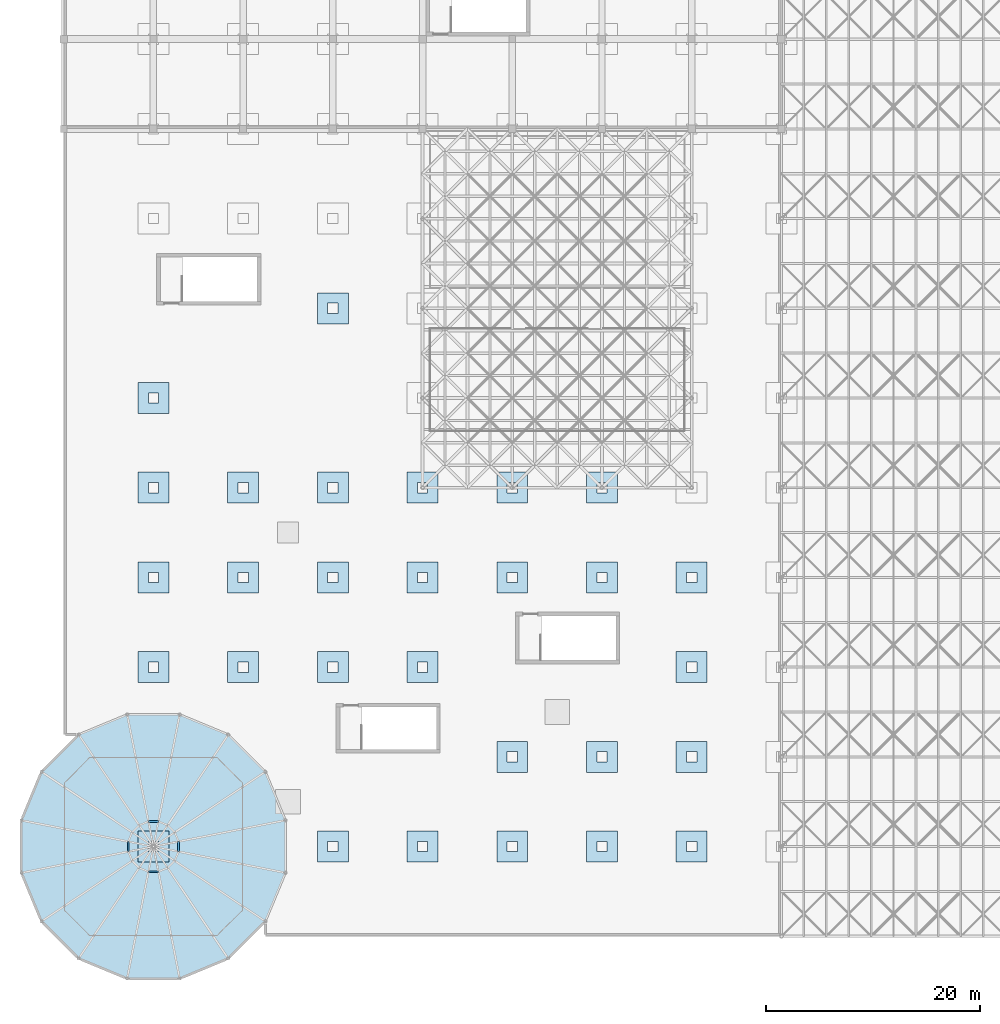
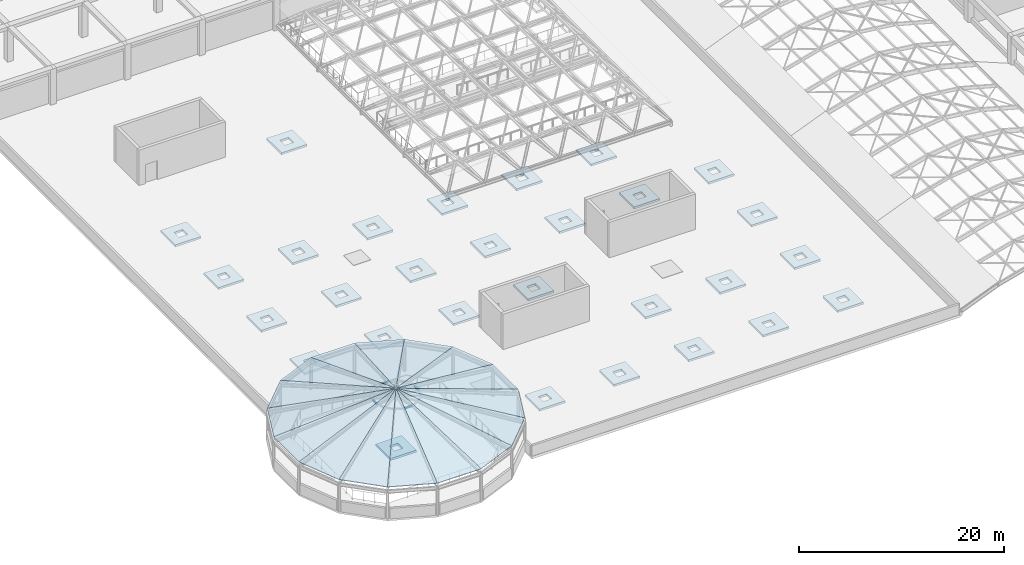
# One storey, part 65 of 85: 45 slabs, 4 members, 1 element without a shape of its own.
"""IFC4 building model written with IfcOpenShell, lengths in metres."""

from ifc_helpers import new_model, si_unit, direction, frame, origin, origin_2d, place, context, subcontext, project, spatial, polyline, hollow_rectangle, outline, extrude, material, layer, layer_set, material_profile, profile_set, type_object, element, aggregate, save


model = new_model("IFC4")

# Units and contexts
model_context = context("Model", 3, precision=1e-05, world=origin(), true_north=direction((0.0, 1.0)))
body_context = subcontext(model_context, "Body", "Model", "MODEL_VIEW")
ifc_project = project(units=[si_unit("LENGTHUNIT", "METRE"), si_unit("AREAUNIT", "SQUARE_METRE"), si_unit("VOLUMEUNIT", "CUBIC_METRE"), si_unit("PLANEANGLEUNIT", "RADIAN"), si_unit("MASSUNIT", "GRAM", prefix="KILO")], contexts=[model_context])

# Site, building, storey
site_placement = place(None, origin())
site = spatial("IfcSite", under=ifc_project, at=site_placement, CompositionType="ELEMENT")
building_placement = place(site_placement, origin())
building = spatial("IfcBuilding", under=site, at=building_placement, Name="Almacenes y Pasaje Nevantli", CompositionType="ELEMENT")
storey_placement = place(building_placement, frame((0.0, 0.0, 22.199951171875)))
storey = spatial("IfcBuildingStorey", under=building, at=storey_placement, Name="L05", CompositionType="ELEMENT", Elevation=22.199951171875)

# Members
ifc_material_1 = material(Name="Steel ASTM A500 Grade C", Category="steel")
ifc_material_profile = material_profile(ifc_material_1, hollow_rectangle(XDim=0.177734375, YDim=0.177734375, WallThickness=0.0078125, at=origin_2d()), Name="OR 178x178x7.9")
ifc_profile_set = profile_set([ifc_material_profile], Name="Steel ASTM A500 Grade C")
member_type = type_object("IfcMemberType", Name="MBR-PUR-OR178x178", PredefinedType="PURLIN", material=ifc_profile_set)
for number, where, z_axis, x_axis, name in (
    (1, (8.8681640625, 10.75390625, 5.900146484375), (-1.0, 0.0, 0.0), (0.0, -1.0, 0.0), "Rotunda Lantern Dome Compression Ring Purlin #4"),
    (2, (6.046142578125, 8.8681640625, 5.900146484375), (0.0, -1.0, 0.0), (1.0, 0.0, 0.0), "Rotunda Lantern Dome Compression Ring Purlin #8"),
    (3, (7.931884765625, 6.046142578125, 5.900146484375), (1.0, 0.0, 0.0), (0.0, 1.0, 0.0), "Rotunda Lantern Dome Compression Ring Purlin #12"),
    (4, (10.75390625, 7.931884765625, 5.900146484375), (0.0, 1.0, 0.0), (-1.0, 0.0, 0.0), "Rotunda Lantern Dome Compression Ring Purlin #16"),
):
    element("IfcMember", number, at=place(storey_placement, frame(where, z_axis=z_axis, x_axis=x_axis)), inside=storey, type_object=member_type, Name=name, PredefinedType="PURLIN", context=body_context, shape_type="SweptSolid", body=[
        extrude(hollow_rectangle(XDim=0.177734375, YDim=0.177734375, WallThickness=0.0078125, at=origin_2d()), origin(), (0.0, 0.0, 1.0), 0.936279296875),
    ])

# Slabs
ifc_material_2 = material(Name="Concrete C35/45", Category="concrete")
ifc_layer_1 = layer(ifc_material_2, 0.25)
ifc_layer_set_1 = layer_set([ifc_layer_1], Name="Concrete C35/45")
slab_type_1 = type_object("IfcSlabType", Name="SLB-DP-250", PredefinedType="USERDEFINED", material=ifc_layer_set_1)
slab_1_placement = place(storey_placement, frame((0.0, 0.0, -0.550048828125)))
element("IfcSlab", 5, at=slab_1_placement, inside=storey, type_object=slab_type_1, Name="L05 Punching-Shear Drop Panel DP-02 #924", ObjectType="DROP PANEL", PredefinedType="USERDEFINED", context=body_context, shape_type="SweptSolid", body=[
    extrude(outline(polyline([(6.949951171875, 6.949951171875), (9.85009765625, 6.949951171875), (9.85009765625, 9.85009765625), (6.949951171875, 9.85009765625), (6.949951171875, 6.949951171875)]), holes=[polyline([(7.919921875, 7.919921875), (8.8798828125, 7.919921875), (8.8798828125, 8.8798828125), (7.919921875, 8.8798828125), (7.919921875, 7.919921875)])]), origin(), (0.0, 0.0, 1.0), 0.25),
])
slab_2_placement = place(storey_placement, frame((0.0, 0.0, -0.550048828125)))
element("IfcSlab", 6, at=slab_2_placement, inside=storey, type_object=slab_type_1, Name="L05 Punching-Shear Drop Panel DP-02 #925", ObjectType="DROP PANEL", PredefinedType="USERDEFINED", context=body_context, shape_type="SweptSolid", body=[
    extrude(outline(polyline([(6.949951171875, 23.75), (9.85009765625, 23.75), (9.85009765625, 26.64990234375), (6.949951171875, 26.64990234375), (6.949951171875, 23.75)]), holes=[polyline([(7.919921875, 24.719970703125), (8.8798828125, 24.719970703125), (8.8798828125, 25.679931640625), (7.919921875, 25.679931640625), (7.919921875, 24.719970703125)])]), origin(), (0.0, 0.0, 1.0), 0.25),
])
slab_3_placement = place(storey_placement, frame((0.0, 0.0, -0.550048828125)))
element("IfcSlab", 7, at=slab_3_placement, inside=storey, type_object=slab_type_1, Name="L05 Punching-Shear Drop Panel DP-02 #926", ObjectType="DROP PANEL", PredefinedType="USERDEFINED", context=body_context, shape_type="SweptSolid", body=[
    extrude(outline(polyline([(6.949951171875, 32.14990234375), (9.85009765625, 32.14990234375), (9.85009765625, 35.050048828125), (6.949951171875, 35.050048828125), (6.949951171875, 32.14990234375)]), holes=[polyline([(7.919921875, 33.1201171875), (8.8798828125, 33.1201171875), (8.8798828125, 34.080078125), (7.919921875, 34.080078125), (7.919921875, 33.1201171875)])]), origin(), (0.0, 0.0, 1.0), 0.25),
])
slab_4_placement = place(storey_placement, frame((0.0, 0.0, -0.550048828125)))
element("IfcSlab", 8, at=slab_4_placement, inside=storey, type_object=slab_type_1, Name="L05 Punching-Shear Drop Panel DP-02 #927", ObjectType="DROP PANEL", PredefinedType="USERDEFINED", context=body_context, shape_type="SweptSolid", body=[
    extrude(outline(polyline([(6.949951171875, 40.550048828125), (9.85009765625, 40.550048828125), (9.85009765625, 43.449951171875), (6.949951171875, 43.449951171875), (6.949951171875, 40.550048828125)]), holes=[polyline([(7.919921875, 41.52001953125), (8.8798828125, 41.52001953125), (8.8798828125, 42.47998046875), (7.919921875, 42.47998046875), (7.919921875, 41.52001953125)])]), origin(), (0.0, 0.0, 1.0), 0.25),
])
slab_5_placement = place(storey_placement, frame((0.0, 0.0, -0.550048828125)))
element("IfcSlab", 9, at=slab_5_placement, inside=storey, type_object=slab_type_1, Name="L05 Punching-Shear Drop Panel DP-02 #928", ObjectType="DROP PANEL", PredefinedType="USERDEFINED", context=body_context, shape_type="SweptSolid", body=[
    extrude(outline(polyline([(6.949951171875, 48.949951171875), (9.85009765625, 48.949951171875), (9.85009765625, 51.85009765625), (6.949951171875, 51.85009765625), (6.949951171875, 48.949951171875)]), holes=[polyline([(7.919921875, 49.919921875), (8.8798828125, 49.919921875), (8.8798828125, 50.8798828125), (7.919921875, 50.8798828125), (7.919921875, 49.919921875)])]), origin(), (0.0, 0.0, 1.0), 0.25),
])
slab_6_placement = place(storey_placement, frame((0.0, 0.0, -0.550048828125)))
element("IfcSlab", 10, at=slab_6_placement, inside=storey, type_object=slab_type_1, Name="L05 Punching-Shear Drop Panel DP-02 #934", ObjectType="DROP PANEL", PredefinedType="USERDEFINED", context=body_context, shape_type="SweptSolid", body=[
    extrude(outline(polyline([(15.35009765625, 23.75), (18.25, 23.75), (18.25, 26.64990234375), (15.35009765625, 26.64990234375), (15.35009765625, 23.75)]), holes=[polyline([(16.320068359375, 24.719970703125), (17.280029296875, 24.719970703125), (17.280029296875, 25.679931640625), (16.320068359375, 25.679931640625), (16.320068359375, 24.719970703125)])]), origin(), (0.0, 0.0, 1.0), 0.25),
])
slab_7_placement = place(storey_placement, frame((0.0, 0.0, -0.550048828125)))
element("IfcSlab", 11, at=slab_7_placement, inside=storey, type_object=slab_type_1, Name="L05 Punching-Shear Drop Panel DP-02 #935", ObjectType="DROP PANEL", PredefinedType="USERDEFINED", context=body_context, shape_type="SweptSolid", body=[
    extrude(outline(polyline([(15.35009765625, 32.14990234375), (18.25, 32.14990234375), (18.25, 35.050048828125), (15.35009765625, 35.050048828125), (15.35009765625, 32.14990234375)]), holes=[polyline([(16.320068359375, 33.1201171875), (17.280029296875, 33.1201171875), (17.280029296875, 34.080078125), (16.320068359375, 34.080078125), (16.320068359375, 33.1201171875)])]), origin(), (0.0, 0.0, 1.0), 0.25),
])
slab_8_placement = place(storey_placement, frame((0.0, 0.0, -0.550048828125)))
element("IfcSlab", 12, at=slab_8_placement, inside=storey, type_object=slab_type_1, Name="L05 Punching-Shear Drop Panel DP-02 #936", ObjectType="DROP PANEL", PredefinedType="USERDEFINED", context=body_context, shape_type="SweptSolid", body=[
    extrude(outline(polyline([(15.35009765625, 40.550048828125), (18.25, 40.550048828125), (18.25, 43.449951171875), (15.35009765625, 43.449951171875), (15.35009765625, 40.550048828125)]), holes=[polyline([(16.320068359375, 41.52001953125), (17.280029296875, 41.52001953125), (17.280029296875, 42.47998046875), (16.320068359375, 42.47998046875), (16.320068359375, 41.52001953125)])]), origin(), (0.0, 0.0, 1.0), 0.25),
])
slab_9_placement = place(storey_placement, frame((0.0, 0.0, -0.550048828125)))
element("IfcSlab", 13, at=slab_9_placement, inside=storey, type_object=slab_type_1, Name="L05 Punching-Shear Drop Panel DP-02 #942", ObjectType="DROP PANEL", PredefinedType="USERDEFINED", context=body_context, shape_type="SweptSolid", body=[
    extrude(outline(polyline([(23.75, 6.949951171875), (26.64990234375, 6.949951171875), (26.64990234375, 9.85009765625), (23.75, 9.85009765625), (23.75, 6.949951171875)]), holes=[polyline([(24.719970703125, 7.919921875), (25.679931640625, 7.919921875), (25.679931640625, 8.8798828125), (24.719970703125, 8.8798828125), (24.719970703125, 7.919921875)])]), origin(), (0.0, 0.0, 1.0), 0.25),
])
slab_10_placement = place(storey_placement, frame((0.0, 0.0, -0.550048828125)))
element("IfcSlab", 14, at=slab_10_placement, inside=storey, type_object=slab_type_1, Name="L05 Punching-Shear Drop Panel DP-02 #943", ObjectType="DROP PANEL", PredefinedType="USERDEFINED", context=body_context, shape_type="SweptSolid", body=[
    extrude(outline(polyline([(23.75, 23.75), (26.64990234375, 23.75), (26.64990234375, 26.64990234375), (23.75, 26.64990234375), (23.75, 23.75)]), holes=[polyline([(24.719970703125, 24.719970703125), (25.679931640625, 24.719970703125), (25.679931640625, 25.679931640625), (24.719970703125, 25.679931640625), (24.719970703125, 24.719970703125)])]), origin(), (0.0, 0.0, 1.0), 0.25),
])
slab_11_placement = place(storey_placement, frame((0.0, 0.0, -0.550048828125)))
element("IfcSlab", 15, at=slab_11_placement, inside=storey, type_object=slab_type_1, Name="L05 Punching-Shear Drop Panel DP-02 #944", ObjectType="DROP PANEL", PredefinedType="USERDEFINED", context=body_context, shape_type="SweptSolid", body=[
    extrude(outline(polyline([(23.75, 32.14990234375), (26.64990234375, 32.14990234375), (26.64990234375, 35.050048828125), (23.75, 35.050048828125), (23.75, 32.14990234375)]), holes=[polyline([(24.719970703125, 33.1201171875), (25.679931640625, 33.1201171875), (25.679931640625, 34.080078125), (24.719970703125, 34.080078125), (24.719970703125, 33.1201171875)])]), origin(), (0.0, 0.0, 1.0), 0.25),
])
slab_12_placement = place(storey_placement, frame((0.0, 0.0, -0.550048828125)))
element("IfcSlab", 16, at=slab_12_placement, inside=storey, type_object=slab_type_1, Name="L05 Punching-Shear Drop Panel DP-02 #945", ObjectType="DROP PANEL", PredefinedType="USERDEFINED", context=body_context, shape_type="SweptSolid", body=[
    extrude(outline(polyline([(23.75, 40.550048828125), (26.64990234375, 40.550048828125), (26.64990234375, 43.449951171875), (23.75, 43.449951171875), (23.75, 40.550048828125)]), holes=[polyline([(24.719970703125, 41.52001953125), (25.679931640625, 41.52001953125), (25.679931640625, 42.47998046875), (24.719970703125, 42.47998046875), (24.719970703125, 41.52001953125)])]), origin(), (0.0, 0.0, 1.0), 0.25),
])
slab_13_placement = place(storey_placement, frame((0.0, 0.0, -0.550048828125)))
element("IfcSlab", 17, at=slab_13_placement, inside=storey, type_object=slab_type_1, Name="L05 Punching-Shear Drop Panel DP-02 #946", ObjectType="DROP PANEL", PredefinedType="USERDEFINED", context=body_context, shape_type="SweptSolid", body=[
    extrude(outline(polyline([(23.75, 57.35009765625), (26.64990234375, 57.35009765625), (26.64990234375, 60.25), (23.75, 60.25), (23.75, 57.35009765625)]), holes=[polyline([(24.719970703125, 58.320068359375), (25.679931640625, 58.320068359375), (25.679931640625, 59.280029296875), (24.719970703125, 59.280029296875), (24.719970703125, 58.320068359375)])]), origin(), (0.0, 0.0, 1.0), 0.25),
])
slab_14_placement = place(storey_placement, frame((0.0, 0.0, -0.550048828125)))
element("IfcSlab", 18, at=slab_14_placement, inside=storey, type_object=slab_type_1, Name="L05 Punching-Shear Drop Panel DP-02 #953", ObjectType="DROP PANEL", PredefinedType="USERDEFINED", context=body_context, shape_type="SweptSolid", body=[
    extrude(outline(polyline([(32.14990234375, 6.949951171875), (35.050048828125, 6.949951171875), (35.050048828125, 9.85009765625), (32.14990234375, 9.85009765625), (32.14990234375, 6.949951171875)]), holes=[polyline([(33.1201171875, 7.919921875), (34.080078125, 7.919921875), (34.080078125, 8.8798828125), (33.1201171875, 8.8798828125), (33.1201171875, 7.919921875)])]), origin(), (0.0, 0.0, 1.0), 0.25),
])
slab_15_placement = place(storey_placement, frame((0.0, 0.0, -0.550048828125)))
element("IfcSlab", 19, at=slab_15_placement, inside=storey, type_object=slab_type_1, Name="L05 Punching-Shear Drop Panel DP-02 #954", ObjectType="DROP PANEL", PredefinedType="USERDEFINED", context=body_context, shape_type="SweptSolid", body=[
    extrude(outline(polyline([(32.14990234375, 23.75), (35.050048828125, 23.75), (35.050048828125, 26.64990234375), (32.14990234375, 26.64990234375), (32.14990234375, 23.75)]), holes=[polyline([(33.1201171875, 24.719970703125), (34.080078125, 24.719970703125), (34.080078125, 25.679931640625), (33.1201171875, 25.679931640625), (33.1201171875, 24.719970703125)])]), origin(), (0.0, 0.0, 1.0), 0.25),
])
slab_16_placement = place(storey_placement, frame((0.0, 0.0, -0.550048828125)))
element("IfcSlab", 20, at=slab_16_placement, inside=storey, type_object=slab_type_1, Name="L05 Punching-Shear Drop Panel DP-02 #955", ObjectType="DROP PANEL", PredefinedType="USERDEFINED", context=body_context, shape_type="SweptSolid", body=[
    extrude(outline(polyline([(32.14990234375, 32.14990234375), (35.050048828125, 32.14990234375), (35.050048828125, 35.050048828125), (32.14990234375, 35.050048828125), (32.14990234375, 32.14990234375)]), holes=[polyline([(33.1201171875, 33.1201171875), (34.080078125, 33.1201171875), (34.080078125, 34.080078125), (33.1201171875, 34.080078125), (33.1201171875, 33.1201171875)])]), origin(), (0.0, 0.0, 1.0), 0.25),
])
slab_17_placement = place(storey_placement, frame((0.0, 0.0, -0.550048828125)))
element("IfcSlab", 21, at=slab_17_placement, inside=storey, type_object=slab_type_1, Name="L05 Punching-Shear Drop Panel DP-02 #956", ObjectType="DROP PANEL", PredefinedType="USERDEFINED", context=body_context, shape_type="SweptSolid", body=[
    extrude(outline(polyline([(32.14990234375, 40.550048828125), (35.050048828125, 40.550048828125), (35.050048828125, 43.449951171875), (32.14990234375, 43.449951171875), (32.14990234375, 40.550048828125)]), holes=[polyline([(33.1201171875, 41.52001953125), (34.080078125, 41.52001953125), (34.080078125, 42.47998046875), (33.1201171875, 42.47998046875), (33.1201171875, 41.52001953125)])]), origin(), (0.0, 0.0, 1.0), 0.25),
])
slab_18_placement = place(storey_placement, frame((0.0, 0.0, -0.550048828125)))
element("IfcSlab", 22, at=slab_18_placement, inside=storey, type_object=slab_type_1, Name="L05 Punching-Shear Drop Panel DP-02 #964", ObjectType="DROP PANEL", PredefinedType="USERDEFINED", context=body_context, shape_type="SweptSolid", body=[
    extrude(outline(polyline([(40.550048828125, 6.949951171875), (43.449951171875, 6.949951171875), (43.449951171875, 9.85009765625), (40.550048828125, 9.85009765625), (40.550048828125, 6.949951171875)]), holes=[polyline([(41.52001953125, 7.919921875), (42.47998046875, 7.919921875), (42.47998046875, 8.8798828125), (41.52001953125, 8.8798828125), (41.52001953125, 7.919921875)])]), origin(), (0.0, 0.0, 1.0), 0.25),
])
slab_19_placement = place(storey_placement, frame((0.0, 0.0, -0.550048828125)))
element("IfcSlab", 23, at=slab_19_placement, inside=storey, type_object=slab_type_1, Name="L05 Punching-Shear Drop Panel DP-02 #965", ObjectType="DROP PANEL", PredefinedType="USERDEFINED", context=body_context, shape_type="SweptSolid", body=[
    extrude(outline(polyline([(40.550048828125, 15.35009765625), (43.449951171875, 15.35009765625), (43.449951171875, 18.25), (40.550048828125, 18.25), (40.550048828125, 15.35009765625)]), holes=[polyline([(41.52001953125, 16.320068359375), (42.47998046875, 16.320068359375), (42.47998046875, 17.280029296875), (41.52001953125, 17.280029296875), (41.52001953125, 16.320068359375)])]), origin(), (0.0, 0.0, 1.0), 0.25),
])
slab_20_placement = place(storey_placement, frame((0.0, 0.0, -0.550048828125)))
element("IfcSlab", 24, at=slab_20_placement, inside=storey, type_object=slab_type_1, Name="L05 Punching-Shear Drop Panel DP-02 #966", ObjectType="DROP PANEL", PredefinedType="USERDEFINED", context=body_context, shape_type="SweptSolid", body=[
    extrude(outline(polyline([(40.550048828125, 32.14990234375), (43.449951171875, 32.14990234375), (43.449951171875, 35.050048828125), (40.550048828125, 35.050048828125), (40.550048828125, 32.14990234375)]), holes=[polyline([(41.52001953125, 33.1201171875), (42.47998046875, 33.1201171875), (42.47998046875, 34.080078125), (41.52001953125, 34.080078125), (41.52001953125, 33.1201171875)])]), origin(), (0.0, 0.0, 1.0), 0.25),
])
slab_21_placement = place(storey_placement, frame((0.0, 0.0, -0.550048828125)))
element("IfcSlab", 25, at=slab_21_placement, inside=storey, type_object=slab_type_1, Name="L05 Punching-Shear Drop Panel DP-02 #967", ObjectType="DROP PANEL", PredefinedType="USERDEFINED", context=body_context, shape_type="SweptSolid", body=[
    extrude(outline(polyline([(40.550048828125, 40.550048828125), (43.449951171875, 40.550048828125), (43.449951171875, 43.449951171875), (40.550048828125, 43.449951171875), (40.550048828125, 40.550048828125)]), holes=[polyline([(41.52001953125, 41.52001953125), (42.47998046875, 41.52001953125), (42.47998046875, 42.47998046875), (41.52001953125, 42.47998046875), (41.52001953125, 41.52001953125)])]), origin(), (0.0, 0.0, 1.0), 0.25),
])
slab_22_placement = place(storey_placement, frame((0.0, 0.0, -0.550048828125)))
element("IfcSlab", 26, at=slab_22_placement, inside=storey, type_object=slab_type_1, Name="L05 Punching-Shear Drop Panel DP-02 #972", ObjectType="DROP PANEL", PredefinedType="USERDEFINED", context=body_context, shape_type="SweptSolid", body=[
    extrude(outline(polyline([(48.949951171875, 6.949951171875), (51.85009765625, 6.949951171875), (51.85009765625, 9.85009765625), (48.949951171875, 9.85009765625), (48.949951171875, 6.949951171875)]), holes=[polyline([(49.919921875, 7.919921875), (50.8798828125, 7.919921875), (50.8798828125, 8.8798828125), (49.919921875, 8.8798828125), (49.919921875, 7.919921875)])]), origin(), (0.0, 0.0, 1.0), 0.25),
])
slab_23_placement = place(storey_placement, frame((0.0, 0.0, -0.550048828125)))
element("IfcSlab", 27, at=slab_23_placement, inside=storey, type_object=slab_type_1, Name="L05 Punching-Shear Drop Panel DP-02 #973", ObjectType="DROP PANEL", PredefinedType="USERDEFINED", context=body_context, shape_type="SweptSolid", body=[
    extrude(outline(polyline([(48.949951171875, 15.35009765625), (51.85009765625, 15.35009765625), (51.85009765625, 18.25), (48.949951171875, 18.25), (48.949951171875, 15.35009765625)]), holes=[polyline([(49.919921875, 16.320068359375), (50.8798828125, 16.320068359375), (50.8798828125, 17.280029296875), (49.919921875, 17.280029296875), (49.919921875, 16.320068359375)])]), origin(), (0.0, 0.0, 1.0), 0.25),
])
slab_24_placement = place(storey_placement, frame((0.0, 0.0, -0.550048828125)))
element("IfcSlab", 28, at=slab_24_placement, inside=storey, type_object=slab_type_1, Name="L05 Punching-Shear Drop Panel DP-02 #974", ObjectType="DROP PANEL", PredefinedType="USERDEFINED", context=body_context, shape_type="SweptSolid", body=[
    extrude(outline(polyline([(48.949951171875, 32.14990234375), (51.85009765625, 32.14990234375), (51.85009765625, 35.050048828125), (48.949951171875, 35.050048828125), (48.949951171875, 32.14990234375)]), holes=[polyline([(49.919921875, 33.1201171875), (50.8798828125, 33.1201171875), (50.8798828125, 34.080078125), (49.919921875, 34.080078125), (49.919921875, 33.1201171875)])]), origin(), (0.0, 0.0, 1.0), 0.25),
])
slab_25_placement = place(storey_placement, frame((0.0, 0.0, -0.550048828125)))
element("IfcSlab", 29, at=slab_25_placement, inside=storey, type_object=slab_type_1, Name="L05 Punching-Shear Drop Panel DP-02 #975", ObjectType="DROP PANEL", PredefinedType="USERDEFINED", context=body_context, shape_type="SweptSolid", body=[
    extrude(outline(polyline([(48.949951171875, 40.550048828125), (51.85009765625, 40.550048828125), (51.85009765625, 43.449951171875), (48.949951171875, 43.449951171875), (48.949951171875, 40.550048828125)]), holes=[polyline([(49.919921875, 41.52001953125), (50.8798828125, 41.52001953125), (50.8798828125, 42.47998046875), (49.919921875, 42.47998046875), (49.919921875, 41.52001953125)])]), origin(), (0.0, 0.0, 1.0), 0.25),
])
slab_26_placement = place(storey_placement, frame((0.0, 0.0, -0.550048828125)))
element("IfcSlab", 30, at=slab_26_placement, inside=storey, type_object=slab_type_1, Name="L05 Punching-Shear Drop Panel DP-02 #980", ObjectType="DROP PANEL", PredefinedType="USERDEFINED", context=body_context, shape_type="SweptSolid", body=[
    extrude(outline(polyline([(57.35009765625, 6.949951171875), (60.25, 6.949951171875), (60.25, 9.85009765625), (57.35009765625, 9.85009765625), (57.35009765625, 6.949951171875)]), holes=[polyline([(58.320068359375, 7.919921875), (59.280029296875, 7.919921875), (59.280029296875, 8.8798828125), (58.320068359375, 8.8798828125), (58.320068359375, 7.919921875)])]), origin(), (0.0, 0.0, 1.0), 0.25),
])
slab_27_placement = place(storey_placement, frame((0.0, 0.0, -0.550048828125)))
element("IfcSlab", 31, at=slab_27_placement, inside=storey, type_object=slab_type_1, Name="L05 Punching-Shear Drop Panel DP-02 #981", ObjectType="DROP PANEL", PredefinedType="USERDEFINED", context=body_context, shape_type="SweptSolid", body=[
    extrude(outline(polyline([(57.35009765625, 15.35009765625), (60.25, 15.35009765625), (60.25, 18.25), (57.35009765625, 18.25), (57.35009765625, 15.35009765625)]), holes=[polyline([(58.320068359375, 16.320068359375), (59.280029296875, 16.320068359375), (59.280029296875, 17.280029296875), (58.320068359375, 17.280029296875), (58.320068359375, 16.320068359375)])]), origin(), (0.0, 0.0, 1.0), 0.25),
])
slab_28_placement = place(storey_placement, frame((0.0, 0.0, -0.550048828125)))
element("IfcSlab", 32, at=slab_28_placement, inside=storey, type_object=slab_type_1, Name="L05 Punching-Shear Drop Panel DP-02 #982", ObjectType="DROP PANEL", PredefinedType="USERDEFINED", context=body_context, shape_type="SweptSolid", body=[
    extrude(outline(polyline([(57.35009765625, 23.75), (60.25, 23.75), (60.25, 26.64990234375), (57.35009765625, 26.64990234375), (57.35009765625, 23.75)]), holes=[polyline([(58.320068359375, 24.719970703125), (59.280029296875, 24.719970703125), (59.280029296875, 25.679931640625), (58.320068359375, 25.679931640625), (58.320068359375, 24.719970703125)])]), origin(), (0.0, 0.0, 1.0), 0.25),
])
slab_29_placement = place(storey_placement, frame((0.0, 0.0, -0.550048828125)))
element("IfcSlab", 33, at=slab_29_placement, inside=storey, type_object=slab_type_1, Name="L05 Punching-Shear Drop Panel DP-02 #983", ObjectType="DROP PANEL", PredefinedType="USERDEFINED", context=body_context, shape_type="SweptSolid", body=[
    extrude(outline(polyline([(57.35009765625, 32.14990234375), (60.25, 32.14990234375), (60.25, 35.050048828125), (57.35009765625, 35.050048828125), (57.35009765625, 32.14990234375)]), holes=[polyline([(58.320068359375, 33.1201171875), (59.280029296875, 33.1201171875), (59.280029296875, 34.080078125), (58.320068359375, 34.080078125), (58.320068359375, 33.1201171875)])]), origin(), (0.0, 0.0, 1.0), 0.25),
])

# Roof, slabs
ifc_material_3 = material(Name="Steel ASTM A992 and Insulated Safety Glass", Category="steel")
roof_type = type_object("IfcRoofType", Name="ROOF-BARREL-VAULT", PredefinedType="BARREL_ROOF", material=ifc_material_3)
roof_placement = place(storey_placement, origin())
roof = element("IfcRoof", 34, at=roof_placement, inside=storey, type_object=roof_type, Name="Rotunda Lantern Dome Roof Assembly", PredefinedType="BARREL_ROOF")
ifc_material_4 = material(Name="Tempered Insulated Hail Safety Glass", Category="glass")
ifc_layer_2 = layer(ifc_material_4, 0.080078125)
ifc_layer_set_2 = layer_set([ifc_layer_2], Name="Tempered Insulated Hail Safety Glass")
slab_type_2 = type_object("IfcSlabType", Name="SLB-ROOF-GLASS-80", PredefinedType="ROOF", material=ifc_layer_set_2)
slab_30_placement = place(storey_placement, frame((20.7578125, 10.858154296875, 3.760009765625), z_axis=(0.215199670618, 0.089138285411, 0.972493428173), x_axis=(-0.382682198272, 0.923880043688, 0.0)))
slab_30 = element("IfcSlab", 35, at=slab_30_placement, type_object=slab_type_2, Name="Rotunda Lantern Dome Glass Sector #1", PredefinedType="ROOF", context=body_context, shape_type="SweptSolid", body=[
    extrude(outline(polyline([(0.0, 0.0), (4.91621419742757, 2.220446049250313e-16), (2.4580223027979002, 12.707495473359955), (0.0, 0.0)])), origin(), (0.0, 0.0, -1.0), 0.080078125),
])
slab_31_placement = place(storey_placement, frame((18.87646484375, 15.400146484375, 3.760009765625), z_axis=(0.164706446576, 0.164706446576, 0.972493482195), x_axis=(-0.707106781187, 0.707106781187, 0.0)))
slab_31 = element("IfcSlab", 36, at=slab_31_placement, type_object=slab_type_2, Name="Rotunda Lantern Dome Glass Sector #2", PredefinedType="ROOF", context=body_context, shape_type="SweptSolid", body=[
    extrude(outline(polyline([(0.0, 0.0), (4.916256570954713, 0.0), (2.458128285477356, 12.707507778019377), (0.0, 0.0)])), origin(), (0.0, 0.0, -1.0), 0.080078125),
])
slab_32_placement = place(storey_placement, frame((15.400146484375, 18.87646484375, 3.760009765625), z_axis=(0.089138285411, 0.215199670618, 0.972493428173), x_axis=(-0.923880043688, 0.382682198272, 0.0)))
slab_32 = element("IfcSlab", 37, at=slab_32_placement, type_object=slab_type_2, Name="Rotunda Lantern Dome Glass Sector #3", PredefinedType="ROOF", context=body_context, shape_type="SweptSolid", body=[
    extrude(outline(polyline([(0.0, 0.0), (4.91621419742757, -2.220446049250313e-16), (2.45819189462967, 12.707495473359955), (0.0, 0.0)])), origin(), (0.0, 0.0, -1.0), 0.080078125),
])
slab_33_placement = place(storey_placement, frame((10.858154296875, 20.7578125, 3.760009765625), z_axis=(0.0, 0.232931130399, 0.972493233134), x_axis=(-1.0, 0.0, 0.0)))
slab_33 = element("IfcSlab", 38, at=slab_33_placement, type_object=slab_type_2, Name="Rotunda Lantern Dome Glass Sector #4", PredefinedType="ROOF", context=body_context, shape_type="SweptSolid", body=[
    extrude(outline(polyline([(0.0, 0.0), (4.916259765625, 0.0), (2.458251953125, 12.707451049737426), (0.0, 0.0)])), origin(), (0.0, 0.0, -1.0), 0.080078125),
])
slab_34_placement = place(storey_placement, frame((5.94189453125, 20.7578125, 3.760009765625), z_axis=(-0.089138922753, 0.215201209303, 0.972493029263), x_axis=(-0.923880043688, -0.382682198272, 0.0)))
slab_34 = element("IfcSlab", 39, at=slab_34_placement, type_object=slab_type_2, Name="Rotunda Lantern Dome Glass Sector #5", PredefinedType="ROOF", context=body_context, shape_type="SweptSolid", body=[
    extrude(outline(polyline([(0.0, 0.0), (4.91621419742757, 0.0), (2.4582478594491914, 12.707404614998977), (0.0, 0.0)])), origin(), (0.0, 0.0, -1.0), 0.080078125),
])
slab_35_placement = place(storey_placement, frame((1.39990234375, 18.87646484375, 3.760009765625), z_axis=(-0.164708622619, 0.164708622619, 0.972492745099), x_axis=(-0.707106781187, -0.707106781187, 0.0)))
slab_35 = element("IfcSlab", 40, at=slab_35_placement, type_object=slab_type_2, Name="Rotunda Lantern Dome Glass Sector #6", PredefinedType="ROOF", context=body_context, shape_type="SweptSolid", body=[
    extrude(outline(polyline([(0.0, 0.0), (4.916256570954713, 0.0), (2.458300918968857, 12.707339893137707), (0.0, 0.0)])), origin(), (0.0, 0.0, -1.0), 0.080078125),
])
slab_36_placement = place(storey_placement, frame((-2.076416015625, 15.400146484375, 3.760009765625), z_axis=(-0.215197438238, 0.089148927999, 0.972492946613), x_axis=(-0.38272458482, -0.923862485532, 0.0)))
slab_36 = element("IfcSlab", 41, at=slab_36_placement, type_object=slab_type_2, Name="Rotunda Lantern Dome Glass Sector #7", PredefinedType="ROOF", context=body_context, shape_type="SweptSolid", body=[
    extrude(outline(polyline([(0.0, 0.0), (4.916307630872821, 0.0), (2.4577183565535545, 12.707385790425898), (0.0, 0.0)])), origin(), (0.0, 0.0, -1.0), 0.080078125),
])
slab_37_placement = place(storey_placement, frame((-3.9580078125, 10.858154296875, 3.760009765625), z_axis=(-0.232931130399, 0.0, 0.972493233134), x_axis=(0.0, -1.0, 0.0)))
slab_37 = element("IfcSlab", 42, at=slab_37_placement, type_object=slab_type_2, Name="Rotunda Lantern Dome Glass Sector #8", PredefinedType="ROOF", context=body_context, shape_type="SweptSolid", body=[
    extrude(outline(polyline([(0.0, 0.0), (4.916259765625, 0.0), (2.458251953125, 12.707451049737426), (0.0, 0.0)])), origin(), (0.0, 0.0, -1.0), 0.080078125),
])
slab_38_placement = place(storey_placement, frame((-3.9580078125, 5.94189453125, 3.760009765625), z_axis=(-0.215198977089, -0.089149565493, 0.972492547649), x_axis=(0.38272458482, -0.923862485532, 0.0)))
slab_38 = element("IfcSlab", 43, at=slab_38_placement, type_object=slab_type_2, Name="Rotunda Lantern Dome Glass Sector #9", PredefinedType="ROOF", context=body_context, shape_type="SweptSolid", body=[
    extrude(outline(polyline([(0.0, 0.0), (4.916307630872821, 0.0), (2.4588148266838985, 12.707294922046282), (0.0, 0.0)])), origin(), (0.0, 0.0, -1.0), 0.080078125),
])
slab_39_placement = place(storey_placement, frame((-2.076416015625, 1.39990234375, 3.760009765625), z_axis=(-0.164710798718, -0.164710798718, 0.972492007973), x_axis=(0.707106781187, -0.707106781187, 0.0)))
slab_39 = element("IfcSlab", 44, at=slab_39_placement, type_object=slab_type_2, Name="Rotunda Lantern Dome Glass Sector #10", PredefinedType="ROOF", context=body_context, shape_type="SweptSolid", body=[
    extrude(outline(polyline([(0.0, 0.0), (4.916256570954713, 0.0), (2.4581282854773567, 12.707172008383285), (0.0, 0.0)])), origin(), (0.0, 0.0, -1.0), 0.080078125),
])
slab_40_placement = place(storey_placement, frame((1.39990234375, -2.076416015625, 3.760009765625), z_axis=(-0.089149565493, -0.215198977089, 0.972492547649), x_axis=(0.923862485532, -0.38272458482, 0.0)))
slab_40 = element("IfcSlab", 45, at=slab_40_placement, type_object=slab_type_2, Name="Rotunda Lantern Dome Glass Sector #11", PredefinedType="ROOF", context=body_context, shape_type="SweptSolid", body=[
    extrude(outline(polyline([(0.0, 0.0), (4.916307630872821, 0.0), (2.457492804188923, 12.707294922046284), (0.0, 0.0)])), origin(), (0.0, 0.0, -1.0), 0.080078125),
])
slab_41_placement = place(storey_placement, frame((5.94189453125, -3.9580078125, 3.760009765625), z_axis=(0.0, -0.232931130399, 0.972493233134), x_axis=(1.0, 0.0, 0.0)))
slab_41 = element("IfcSlab", 46, at=slab_41_placement, type_object=slab_type_2, Name="Rotunda Lantern Dome Glass Sector #12", PredefinedType="ROOF", context=body_context, shape_type="SweptSolid", body=[
    extrude(outline(polyline([(0.0, 0.0), (4.916259765625, 0.0), (2.4580078125, 12.707451049737426), (0.0, 0.0)])), origin(), (0.0, 0.0, -1.0), 0.080078125),
])
slab_42_placement = place(storey_placement, frame((10.858154296875, -3.9580078125, 3.760009765625), z_axis=(0.089148927999, -0.215197438238, 0.972492946613), x_axis=(0.923862485532, 0.38272458482, 0.0)))
slab_42 = element("IfcSlab", 47, at=slab_42_placement, type_object=slab_type_2, Name="Rotunda Lantern Dome Glass Sector #13", PredefinedType="ROOF", context=body_context, shape_type="SweptSolid", body=[
    extrude(outline(polyline([(0.0, 0.0), (4.916307630872821, 0.0), (2.4585892743192668, 12.707385790425896), (0.0, 0.0)])), origin(), (0.0, 0.0, -1.0), 0.080078125),
])
slab_43_placement = place(storey_placement, frame((15.400146484375, -2.076416015625, 3.760009765625), z_axis=(0.164708622619, -0.164708622619, 0.972492745099), x_axis=(0.707106781187, 0.707106781187, 0.0)))
slab_43 = element("IfcSlab", 48, at=slab_43_placement, type_object=slab_type_2, Name="Rotunda Lantern Dome Glass Sector #14", PredefinedType="ROOF", context=body_context, shape_type="SweptSolid", body=[
    extrude(outline(polyline([(0.0, 0.0), (4.916256570954713, 0.0), (2.4579556519858556, 12.707339893137707), (0.0, 0.0)])), origin(), (0.0, 0.0, -1.0), 0.080078125),
])
slab_44_placement = place(storey_placement, frame((18.87646484375, 1.39990234375, 3.760009765625), z_axis=(0.215201209303, -0.089138922753, 0.972493029263), x_axis=(0.382682198272, 0.923880043688, 0.0)))
slab_44 = element("IfcSlab", 49, at=slab_44_placement, type_object=slab_type_2, Name="Rotunda Lantern Dome Glass Sector #15", PredefinedType="ROOF", context=body_context, shape_type="SweptSolid", body=[
    extrude(outline(polyline([(0.0, 0.0), (4.91621419742757, 0.0), (2.4579663379783794, 12.707404614998977), (0.0, 0.0)])), origin(), (0.0, 0.0, -1.0), 0.080078125),
])
slab_45_placement = place(storey_placement, frame((20.7578125, 5.94189453125, 3.760009765625), z_axis=(0.232931130399, 0.0, 0.972493233134), x_axis=(0.0, 1.0, 0.0)))
slab_45 = element("IfcSlab", 50, at=slab_45_placement, type_object=slab_type_2, Name="Rotunda Lantern Dome Glass Sector #16", PredefinedType="ROOF", context=body_context, shape_type="SweptSolid", body=[
    extrude(outline(polyline([(0.0, 0.0), (4.916259765625, 0.0), (2.4580078125, 12.707451049737426), (0.0, 0.0)])), origin(), (0.0, 0.0, -1.0), 0.080078125),
])
aggregate(roof, [slab_30, slab_31, slab_32, slab_33, slab_34, slab_35, slab_36, slab_37, slab_38, slab_39, slab_40, slab_41, slab_42, slab_43, slab_44, slab_45])

save(model, "model.ifc")
